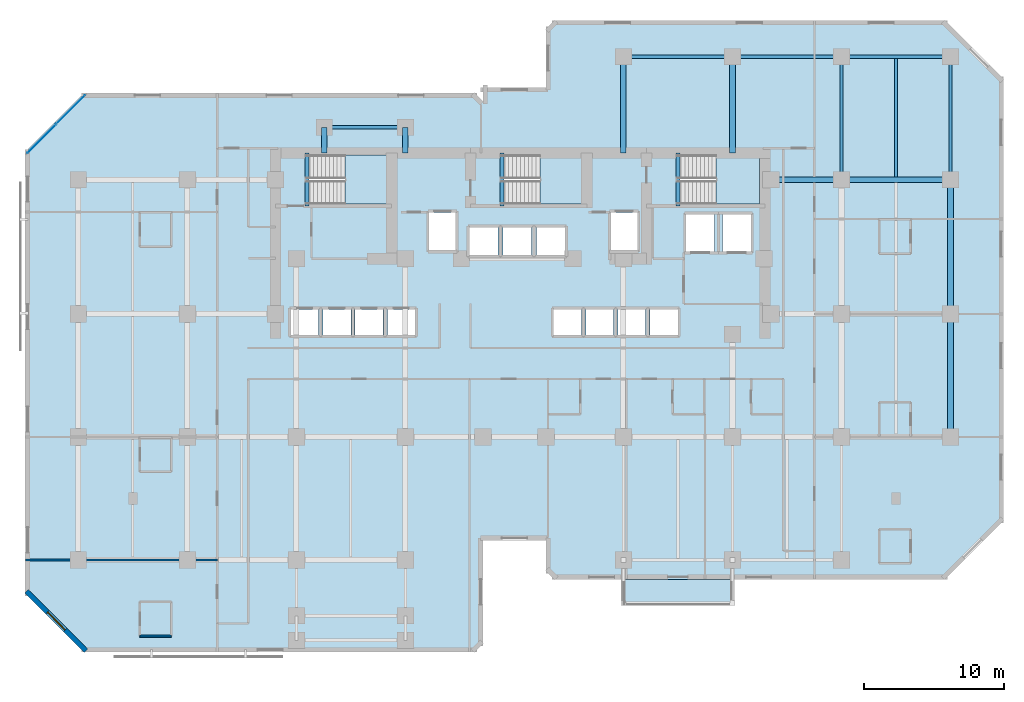
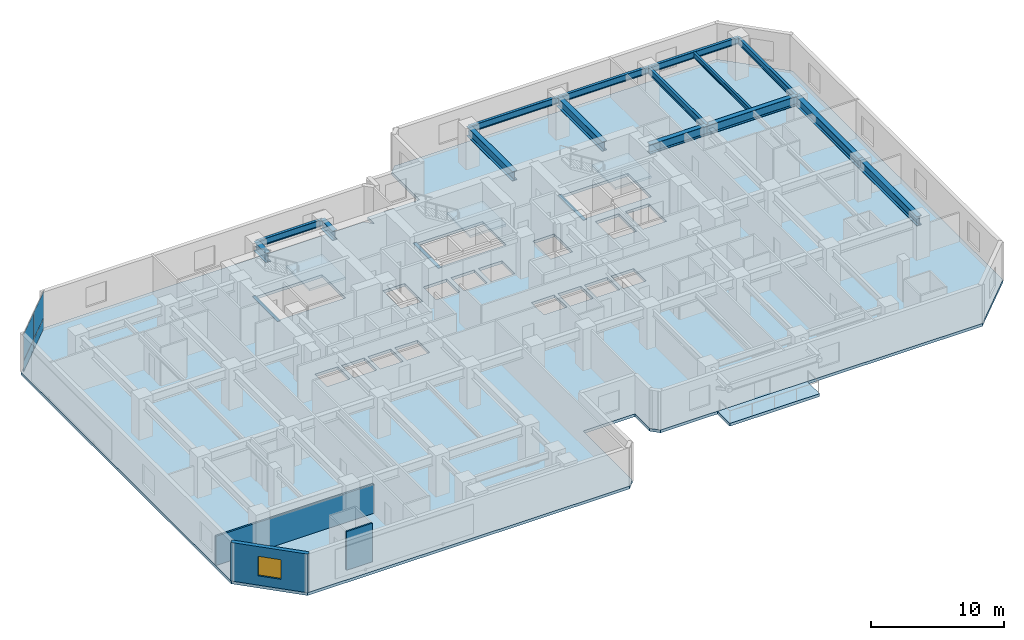
# One storey, part 5 of 12: 18 beams, 5 slabs, 4 plates, 3 walls, 1 window, 1 opening, 4 elements without a shape of their own.
"""IFC4 building model written with IfcOpenShell, lengths in metres."""

from ifc_helpers import new_model, si_unit, direction, frame, frame_2d, origin, origin_2d, place, context, subcontext, project, spatial, polyline, rectangle, i_section, outline, extrude, material, layer, layer_set, material_profile, profile_set, type_object, element, fill, aggregate, save


model = new_model("IFC4")

# Units and contexts
model_context = context("Model", 3, precision=1e-05, world=origin(), true_north=direction((0.0, 1.0)))
body_context = subcontext(model_context, "Body", "Model", "MODEL_VIEW")
ifc_project = project(units=[si_unit("LENGTHUNIT", "METRE"), si_unit("AREAUNIT", "SQUARE_METRE"), si_unit("VOLUMEUNIT", "CUBIC_METRE"), si_unit("PLANEANGLEUNIT", "RADIAN"), si_unit("MASSUNIT", "GRAM", prefix="KILO")], contexts=[model_context])

# Site, building, storey
site_placement = place(None, origin())
site = spatial("IfcSite", under=ifc_project, at=site_placement, CompositionType="ELEMENT")
building_placement = place(site_placement, origin())
building = spatial("IfcBuilding", under=site, at=building_placement, Name="Kestravale Grand Hotel", CompositionType="ELEMENT")
storey_placement = place(building_placement, frame((0.0, 0.0, 110.800048828125)))
storey = spatial("IfcBuildingStorey", under=building, at=storey_placement, Name="L27", CompositionType="ELEMENT", Elevation=110.800048828125)

# Beams
ifc_material_1 = material(Name="Steel ASTM A992 Grade 50", Category="steel")
ifc_material_profile_1 = material_profile(ifc_material_1, i_section(OverallWidth=0.19091796875, OverallDepth=0.45703125, WebThickness=0.009033203125, FlangeThickness=0.014404296875, FilletRadius=0.015380859375, at=origin_2d()))
ifc_profile_set_1 = profile_set([ifc_material_profile_1], Name="Steel ASTM A992 Grade 50")
beam_type_1 = type_object("IfcBeamType", Name="B-FLR-JST18", PredefinedType="JOIST", material=ifc_profile_set_1)
beam_1_placement = place(storey_placement, frame((66.300048828125, 38.6005859375, 3.3115234375), z_axis=(0.0, 1.0, 0.0), x_axis=(-1.0, 0.0, 0.0)))
element("IfcBeam", 1, at=beam_1_placement, inside=storey, type_object=beam_type_1, Name="L27 floor joist 10-11/F-G #1", PredefinedType="JOIST", context=body_context, shape_type="SweptSolid", body=[
    extrude(i_section(OverallWidth=0.19091796875, OverallDepth=0.45703125, WebThickness=0.009033203125, FlangeThickness=0.014404296875, FilletRadius=0.015380859375, at=origin_2d()), origin(), (0.0, 0.0, 1.0), 8.48486328125),
])
ifc_material_2 = material(Name="Concrete f'c 45 MPa", Category="concrete")
ifc_material_profile_2 = material_profile(ifc_material_2, rectangle(XDim=0.300048828125, YDim=0.39990234375, at=origin_2d()))
ifc_profile_set_2 = profile_set([ifc_material_profile_2], Name="Concrete f'c 45 MPa")
beam_type_2 = type_object("IfcBeamType", Name="B-FLR-LNT400", PredefinedType="LINTEL", material=ifc_profile_set_2)
for number, where, z_axis, x_axis, name in (
    (2, (24.159912109375, 36.52001953125, -0.199951171875), (0.0, 1.0, 0.0), (-1.0, 0.0, 0.0), "L27 ST1 flight bottom header beam"),
    (3, (38.110107421875, 36.52001953125, -0.199951171875), (0.0, 1.0, 0.0), (-1.0, 0.0, 0.0), "L27 ST2 flight bottom header beam"),
    (4, (50.7099609375, 36.52001953125, -0.199951171875), (0.0, 1.0, 0.0), (-1.0, 0.0, 0.0), "L27 ST3 flight bottom header beam"),
):
    element("IfcBeam", number, at=place(storey_placement, frame(where, z_axis=z_axis, x_axis=x_axis)), inside=storey, type_object=beam_type_2, Name=name, PredefinedType="LINTEL", context=body_context, shape_type="SweptSolid", body=[
        extrude(rectangle(XDim=0.300048828125, YDim=0.39990234375, at=origin_2d()), origin(), (0.0, 0.0, 1.0), 3.800048828125),
    ])
ifc_material_3 = material(Name="Steel ASTM A992 Grade 50", Category="steel")
ifc_material_profile_3 = material_profile(ifc_material_3, i_section(OverallWidth=0.22900390625, OverallDepth=0.612060546875, WebThickness=0.011962890625, FlangeThickness=0.01953125, FilletRadius=0.019287109375, at=origin_2d()))
ifc_profile_set_3 = profile_set([ifc_material_profile_3], Name="Steel ASTM A992 Grade 50")
beam_type_3 = type_object("IfcBeamType", Name="B-FLR-W24B", PredefinedType="SPANDREL", material=ifc_profile_set_3)
beam_2_placement = place(storey_placement, frame((46.800048828125, 47.199951171875, 3.23388671875), z_axis=(1.0, 0.0, 0.0), x_axis=(0.0, 1.0, 0.0)))
element("IfcBeam", 5, at=beam_2_placement, inside=storey, type_object=beam_type_3, Name="L27 spandrel G:8-9", PredefinedType="SPANDREL", context=body_context, shape_type="SweptSolid", body=[
    extrude(i_section(OverallWidth=0.22900390625, OverallDepth=0.612060546875, WebThickness=0.011962890625, FlangeThickness=0.01953125, FilletRadius=0.019287109375, at=origin_2d()), origin(), (0.0, 0.0, 1.0), 7.800048828125),
])
beam_3_placement = place(storey_placement, frame((54.60009765625, 47.199951171875, 3.23388671875), z_axis=(1.0, 0.0, 0.0), x_axis=(0.0, 1.0, 0.0)))
element("IfcBeam", 6, at=beam_3_placement, inside=storey, type_object=beam_type_3, Name="L27 spandrel G:9-10", PredefinedType="SPANDREL", context=body_context, shape_type="SweptSolid", body=[
    extrude(i_section(OverallWidth=0.22900390625, OverallDepth=0.612060546875, WebThickness=0.011962890625, FlangeThickness=0.01953125, FilletRadius=0.019287109375, at=origin_2d()), origin(), (0.0, 0.0, 1.0), 7.7998046875),
])
beam_4_placement = place(storey_placement, frame((62.39990234375, 47.199951171875, 3.23388671875), z_axis=(1.0, 0.0, 0.0), x_axis=(0.0, 1.0, 0.0)))
element("IfcBeam", 7, at=beam_4_placement, inside=storey, type_object=beam_type_3, Name="L27 spandrel G:10-11", PredefinedType="SPANDREL", context=body_context, shape_type="SweptSolid", body=[
    extrude(i_section(OverallWidth=0.22900390625, OverallDepth=0.612060546875, WebThickness=0.011962890625, FlangeThickness=0.01953125, FilletRadius=0.019287109375, at=origin_2d()), origin(), (0.0, 0.0, 1.0), 7.800048828125),
])
beam_5_placement = place(storey_placement, frame((25.39990234375, 42.14990234375, 3.23388671875), z_axis=(1.0, 0.0, 0.0), x_axis=(0.0, 1.0, 0.0)))
element("IfcBeam", 8, at=beam_5_placement, inside=storey, type_object=beam_type_3, Name="L27 perimeter tie spandrel FN:4-5", PredefinedType="SPANDREL", context=body_context, shape_type="SweptSolid", body=[
    extrude(i_section(OverallWidth=0.22900390625, OverallDepth=0.612060546875, WebThickness=0.011962890625, FlangeThickness=0.01953125, FilletRadius=0.019287109375, at=origin_2d()), origin(), (0.0, 0.0, 1.0), 5.800048828125),
])
for number, where, z_axis, x_axis, name in (
    (9, (62.39990234375, 38.39990234375, 3.23388671875), (0.0, 1.0, 0.0), (-1.0, 0.0, 0.0), "L27 spandrel 10:F-G"),
    (10, (70.199951171875, 38.39990234375, 3.23388671875), (0.0, 1.0, 0.0), (-1.0, 0.0, 0.0), "L27 spandrel 11:F-G"),
):
    element("IfcBeam", number, at=place(storey_placement, frame(where, z_axis=z_axis, x_axis=x_axis)), inside=storey, type_object=beam_type_3, Name=name, PredefinedType="SPANDREL", context=body_context, shape_type="SweptSolid", body=[
        extrude(i_section(OverallWidth=0.22900390625, OverallDepth=0.612060546875, WebThickness=0.011962890625, FlangeThickness=0.01953125, FilletRadius=0.019287109375, at=origin_2d()), origin(), (0.0, 0.0, 1.0), 8.800048828125),
    ])
ifc_material_4 = material(Name="Steel ASTM A992 Grade 50", Category="steel")
ifc_material_profile_4 = material_profile(ifc_material_4, i_section(OverallWidth=0.40087890625, OverallDepth=0.861083984375, WebThickness=0.019775390625, FlangeThickness=0.032470703125, FilletRadius=0.0234375, at=origin_2d()))
ifc_profile_set_4 = profile_set([ifc_material_profile_4], Name="Steel ASTM A992 Grade 50")
beam_type_4 = type_object("IfcBeamType", Name="B-GRD-W33", PredefinedType="BEAM", material=ifc_profile_set_4)
beam_6_placement = place(storey_placement, frame((57.35009765625, 38.39990234375, 3.109375), z_axis=(1.0, 0.0, 0.0), x_axis=(0.0, 1.0, 0.0)))
element("IfcBeam", 11, at=beam_6_placement, inside=storey, type_object=beam_type_4, Name="L27 girder F:CE-10", PredefinedType="BEAM", context=body_context, shape_type="SweptSolid", body=[
    extrude(i_section(OverallWidth=0.40087890625, OverallDepth=0.861083984375, WebThickness=0.019775390625, FlangeThickness=0.032470703125, FilletRadius=0.0234375, at=origin_2d()), origin(), (0.0, 0.0, 1.0), 5.0498046875),
])
beam_7_placement = place(storey_placement, frame((62.39990234375, 38.39990234375, 3.109375), z_axis=(1.0, 0.0, 0.0), x_axis=(0.0, 1.0, 0.0)))
element("IfcBeam", 12, at=beam_7_placement, inside=storey, type_object=beam_type_4, Name="L27 girder F:10-11", PredefinedType="BEAM", context=body_context, shape_type="SweptSolid", body=[
    extrude(i_section(OverallWidth=0.40087890625, OverallDepth=0.861083984375, WebThickness=0.019775390625, FlangeThickness=0.032470703125, FilletRadius=0.0234375, at=origin_2d()), origin(), (0.0, 0.0, 1.0), 7.800048828125),
])
beam_8_placement = place(storey_placement, frame((70.199951171875, 20.0, 3.109375), z_axis=(0.0, 1.0, 0.0), x_axis=(-1.0, 0.0, 0.0)))
element("IfcBeam", 13, at=beam_8_placement, inside=storey, type_object=beam_type_4, Name="L27 girder 11:D-E", PredefinedType="BEAM", context=body_context, shape_type="SweptSolid", body=[
    extrude(i_section(OverallWidth=0.40087890625, OverallDepth=0.861083984375, WebThickness=0.019775390625, FlangeThickness=0.032470703125, FilletRadius=0.0234375, at=origin_2d()), origin(), (0.0, 0.0, 1.0), 8.800048828125),
])
beam_9_placement = place(storey_placement, frame((70.199951171875, 28.800048828125, 3.109375), z_axis=(0.0, 1.0, 0.0), x_axis=(-1.0, 0.0, 0.0)))
element("IfcBeam", 14, at=beam_9_placement, inside=storey, type_object=beam_type_4, Name="L27 girder 11:E-F", PredefinedType="BEAM", context=body_context, shape_type="SweptSolid", body=[
    extrude(i_section(OverallWidth=0.40087890625, OverallDepth=0.861083984375, WebThickness=0.019775390625, FlangeThickness=0.032470703125, FilletRadius=0.0234375, at=origin_2d()), origin(), (0.0, 0.0, 1.0), 9.599853515625),
])
for number, where, z_axis, x_axis, name in (
    (15, (25.39990234375, 40.320068359375, 3.109375), (0.0, 1.0, 0.0), (-1.0, 0.0, 0.0), "L27 north wing tie girder 4:CN-FN"),
    (16, (31.199951171875, 40.320068359375, 3.109375), (0.0, 1.0, 0.0), (-1.0, 0.0, 0.0), "L27 north wing tie girder 5:CN-FN"),
):
    element("IfcBeam", number, at=place(storey_placement, frame(where, z_axis=z_axis, x_axis=x_axis)), inside=storey, type_object=beam_type_4, Name=name, PredefinedType="BEAM", context=body_context, shape_type="SweptSolid", body=[
        extrude(i_section(OverallWidth=0.40087890625, OverallDepth=0.861083984375, WebThickness=0.019775390625, FlangeThickness=0.032470703125, FilletRadius=0.0234375, at=origin_2d()), origin(), (0.0, 0.0, 1.0), 1.829833984375),
    ])
for number, where, z_axis, x_axis, name in (
    (17, (46.800048828125, 40.320068359375, 3.109375), (0.0, 1.0, 0.0), (-1.0, 0.0, 0.0), "L27 north wing tie girder 8:CN-G"),
    (18, (54.60009765625, 40.320068359375, 3.109375), (0.0, 1.0, 0.0), (-1.0, 0.0, 0.0), "L27 north wing tie girder 9:CN-G"),
):
    element("IfcBeam", number, at=place(storey_placement, frame(where, z_axis=z_axis, x_axis=x_axis)), inside=storey, type_object=beam_type_4, Name=name, PredefinedType="BEAM", context=body_context, shape_type="SweptSolid", body=[
        extrude(i_section(OverallWidth=0.40087890625, OverallDepth=0.861083984375, WebThickness=0.019775390625, FlangeThickness=0.032470703125, FilletRadius=0.0234375, at=origin_2d()), origin(), (0.0, 0.0, 1.0), 6.8798828125),
    ])

# Curtain wall, plates
ifc_material_5 = material(Name="Thermally broken champagne-bronze aluminium and low-E glazing", Category="aluminium")
ifc_layer_1 = layer(ifc_material_5, 0.199951171875)
ifc_layer_set_1 = layer_set([ifc_layer_1], Name="CW-Z2")
curtain_wall_type = type_object("IfcCurtainWallType", Name="CW-Z2", PredefinedType="NOTDEFINED", material=ifc_layer_set_1)
curtain_wall_placement = place(storey_placement, origin())
curtain_wall = element("IfcCurtainWall", 19, at=curtain_wall_placement, inside=storey, type_object=curtain_wall_type, Name="L27 unitised curtain wall 18", PredefinedType="NOTDEFINED")
ifc_material_6 = material(Name="Insulated clear low-E double glazing IGU", Category="glass")
ifc_layer_2 = layer(ifc_material_6, 0.031982421875)
ifc_layer_set_2 = layer_set([ifc_layer_2], Name="CW-PNL-32")
plate_type = type_object("IfcPlateType", Name="CW-PNL-32", PredefinedType="CURTAIN_PANEL", material=ifc_layer_set_2)
plate_1_placement = place(storey_placement, frame((7.26416015625, 43.423583984375, 0.06494140625), z_axis=(0.0, 0.0, 1.0), x_axis=(-0.707106781187, -0.707106781187, 0.0)))
plate_1 = element("IfcPlate", 20, at=plate_1_placement, type_object=plate_type, Name="CW-Z2 panel 1.1", PredefinedType="CURTAIN_PANEL", context=body_context, shape_type="SweptSolid", body=[
    extrude(rectangle(XDim=2.87744140625, YDim=0.031982421875, at=origin_2d()), origin(), (0.0, 0.0, 1.0), 0.952392578125),
])
plate_2_placement = place(storey_placement, frame((7.26416015625, 43.423583984375, 1.08251953125), z_axis=(0.0, 0.0, 1.0), x_axis=(-0.707106781187, -0.707106781187, 0.0)))
plate_2 = element("IfcPlate", 21, at=plate_2_placement, type_object=plate_type, Name="CW-Z2 panel 1.2", PredefinedType="CURTAIN_PANEL", context=body_context, shape_type="SweptSolid", body=[
    extrude(rectangle(XDim=2.87744140625, YDim=0.031982421875, at=origin_2d()), origin(), (0.0, 0.0, 1.0), 2.392578125),
])
plate_3_placement = place(storey_placement, frame((5.17626953125, 41.3359375, 0.06494140625), z_axis=(0.0, 0.0, 1.0), x_axis=(-0.707106781187, -0.707106781187, 0.0)))
plate_3 = element("IfcPlate", 22, at=plate_3_placement, type_object=plate_type, Name="CW-Z2 panel 2.1", PredefinedType="CURTAIN_PANEL", context=body_context, shape_type="SweptSolid", body=[
    extrude(rectangle(XDim=2.87744140625, YDim=0.031982421875, at=origin_2d()), origin(), (0.0, 0.0, 1.0), 0.952392578125),
])
plate_4_placement = place(storey_placement, frame((5.17626953125, 41.3359375, 1.08251953125), z_axis=(0.0, 0.0, 1.0), x_axis=(-0.707106781187, -0.707106781187, 0.0)))
plate_4 = element("IfcPlate", 23, at=plate_4_placement, type_object=plate_type, Name="CW-Z2 panel 2.2", PredefinedType="CURTAIN_PANEL", context=body_context, shape_type="SweptSolid", body=[
    extrude(rectangle(XDim=2.87744140625, YDim=0.031982421875, at=origin_2d()), origin(), (0.0, 0.0, 1.0), 2.392578125),
])
aggregate(curtain_wall, [plate_1, plate_2, plate_3, plate_4])

# Slab
ifc_material_7 = material(Name="Concrete f'c 45 MPa", Category="concrete")
ifc_layer_3 = layer(ifc_material_7, 0.27001953125)
ifc_layer_set_3 = layer_set([ifc_layer_3], Name="ES-TERR-270")
slab_type_1 = type_object("IfcSlabType", Name="ES-TERR-270", PredefinedType="FLOOR", material=ifc_layer_set_3)
slab_1_placement = place(storey_placement, frame((0.0, 0.0, -0.27001953125)))
element("IfcSlab", 24, at=slab_1_placement, inside=storey, type_object=slab_type_1, Name="L27 spiralling planted garden terrace", PredefinedType="FLOOR", context=body_context, shape_type="SweptSolid", body=[
    extrude(outline(polyline([(46.800048828125, 7.949951171875), (54.60009765625, 7.949951171875), (54.60009765625, 9.800048828125), (46.800048828125, 9.800048828125), (46.800048828125, 7.949951171875)])), origin(), (0.0, 0.0, 1.0), 0.27001953125),
])

# Stair, slab
ifc_material_8 = material(Name="Concrete f'c 45 MPa", Category="concrete")
stair_type = type_object("IfcStairType", Name="ST-CORE-380", PredefinedType="HALF_TURN_STAIR", material=ifc_material_8)
stair_1_placement = place(storey_placement, origin())
stair_1 = element("IfcStair", 25, at=stair_1_placement, inside=storey, type_object=stair_type, Name="L27 ST-1", PredefinedType="HALF_TURN_STAIR")
ifc_material_9 = material(Name="Concrete f'c 45 MPa", Category="concrete")
ifc_layer_4 = layer(ifc_material_9, 0.199951171875)
ifc_layer_set_4 = layer_set([ifc_layer_4], Name="SLB-ST-LND200")
slab_type_2 = type_object("IfcSlabType", Name="SLB-ST-LND200", PredefinedType="LANDING", material=ifc_layer_set_4)
slab_2_placement = place(storey_placement, frame((0.0, 0.0, 1.699951171875)))
slab_2 = element("IfcSlab", 26, at=slab_2_placement, type_object=slab_type_2, Name="ST-1 landing 1", PredefinedType="LANDING", context=body_context, shape_type="SweptSolid", body=[
    extrude(outline(polyline([(26.8798828125, 36.64990234375), (30.0, 36.64990234375), (30.0, 40.159912109375), (26.8798828125, 40.159912109375), (26.8798828125, 36.64990234375)])), origin(), (0.0, 0.0, 1.0), 0.199951171875),
])
aggregate(stair_1, [slab_2])

stair_2_placement = place(storey_placement, origin())
stair_2 = element("IfcStair", 27, at=stair_2_placement, inside=storey, type_object=stair_type, Name="L27 ST-2", PredefinedType="HALF_TURN_STAIR")
slab_3_placement = place(storey_placement, frame((0.0, 0.0, 1.699951171875)))
slab_3 = element("IfcSlab", 28, at=slab_3_placement, type_object=slab_type_2, Name="ST-2 landing 1", PredefinedType="LANDING", context=body_context, shape_type="SweptSolid", body=[
    extrude(outline(polyline([(40.830078125, 36.64990234375), (43.949951171875, 36.64990234375), (43.949951171875, 40.159912109375), (40.830078125, 40.159912109375), (40.830078125, 36.64990234375)])), origin(), (0.0, 0.0, 1.0), 0.199951171875),
])
aggregate(stair_2, [slab_3])

stair_3_placement = place(storey_placement, origin())
stair_3 = element("IfcStair", 29, at=stair_3_placement, inside=storey, type_object=stair_type, Name="L27 ST-3", PredefinedType="HALF_TURN_STAIR")
slab_4_placement = place(storey_placement, frame((0.0, 0.0, 1.699951171875)))
slab_4 = element("IfcSlab", 30, at=slab_4_placement, type_object=slab_type_2, Name="ST-3 landing 1", PredefinedType="LANDING", context=body_context, shape_type="SweptSolid", body=[
    extrude(outline(polyline([(53.429931640625, 36.64990234375), (56.550048828125, 36.64990234375), (56.550048828125, 40.159912109375), (53.429931640625, 40.159912109375), (53.429931640625, 36.64990234375)])), origin(), (0.0, 0.0, 1.0), 0.199951171875),
])
aggregate(stair_3, [slab_4])

# Slab
ifc_material_10 = material(Name="Concrete f'c 45 MPa", Category="concrete")
ifc_layer_5 = layer(ifc_material_10, 0.260009765625)
ifc_layer_set_5 = layer_set([ifc_layer_5], Name="SS-FLR-260")
slab_type_3 = type_object("IfcSlabType", Name="SS-FLR-260", PredefinedType="FLOOR", material=ifc_layer_set_5)
slab_5_placement = place(storey_placement, frame((0.0, 0.0, -0.260009765625)))
element("IfcSlab", 31, at=slab_5_placement, inside=storey, type_object=slab_type_3, Name="L27 structural floor slab", PredefinedType="FLOOR", context=body_context, shape_type="SweptSolid", body=[
    extrude(outline(polyline([(8.199951171875, 4.60009765625), (36.14990234375, 4.60009765625), (36.75, 5.199951171875), (36.75, 12.60009765625), (41.25, 12.60009765625), (41.25, 10.39990234375), (41.85009765625, 9.800048828125), (69.800048828125, 9.800048828125), (74.0, 14.0), (74.0, 45.60009765625), (69.800048828125, 49.800048828125), (41.85009765625, 49.800048828125), (41.25, 49.199951171875), (41.25, 45.0), (36.75, 45.0), (36.75, 44.0), (36.14990234375, 44.60009765625), (8.199951171875, 44.60009765625), (4.0, 40.39990234375), (4.0, 8.800048828125), (8.199951171875, 4.60009765625)]), holes=[polyline([(24.080078125, 36.64990234375), (30.0, 36.64990234375), (30.0, 40.159912109375), (24.080078125, 40.159912109375), (24.080078125, 36.64990234375)]), polyline([(38.030029296875, 36.64990234375), (43.949951171875, 36.64990234375), (43.949951171875, 40.159912109375), (38.030029296875, 40.159912109375), (38.030029296875, 36.64990234375)]), polyline([(50.6298828125, 36.64990234375), (56.550048828125, 36.64990234375), (56.550048828125, 40.159912109375), (50.6298828125, 40.159912109375), (50.6298828125, 36.64990234375)]), polyline([(23.0048828125, 27.280029296875), (24.9951171875, 27.280029296875), (24.9951171875, 29.1201171875), (23.0048828125, 29.1201171875), (23.0048828125, 27.280029296875)]), polyline([(25.304931640625, 27.280029296875), (27.294921875, 27.280029296875), (27.294921875, 29.1201171875), (25.304931640625, 29.1201171875), (25.304931640625, 27.280029296875)]), polyline([(27.60498046875, 27.280029296875), (29.594970703125, 27.280029296875), (29.594970703125, 29.1201171875), (27.60498046875, 29.1201171875), (27.60498046875, 27.280029296875)]), polyline([(29.905029296875, 27.280029296875), (31.89501953125, 27.280029296875), (31.89501953125, 29.1201171875), (29.905029296875, 29.1201171875), (29.905029296875, 27.280029296875)]), polyline([(41.804931640625, 27.280029296875), (43.794921875, 27.280029296875), (43.794921875, 29.1201171875), (41.804931640625, 29.1201171875), (41.804931640625, 27.280029296875)]), polyline([(44.10498046875, 27.280029296875), (46.094970703125, 27.280029296875), (46.094970703125, 29.1201171875), (44.10498046875, 29.1201171875), (44.10498046875, 27.280029296875)]), polyline([(46.405029296875, 27.280029296875), (48.39501953125, 27.280029296875), (48.39501953125, 29.1201171875), (46.405029296875, 29.1201171875), (46.405029296875, 27.280029296875)]), polyline([(48.705078125, 27.280029296875), (50.695068359375, 27.280029296875), (50.695068359375, 29.1201171875), (48.705078125, 29.1201171875), (48.705078125, 27.280029296875)]), polyline([(35.780029296875, 33.030029296875), (37.820068359375, 33.030029296875), (37.820068359375, 34.969970703125), (35.780029296875, 34.969970703125), (35.780029296875, 33.030029296875)]), polyline([(38.179931640625, 33.030029296875), (40.219970703125, 33.030029296875), (40.219970703125, 34.969970703125), (38.179931640625, 34.969970703125), (38.179931640625, 33.030029296875)]), polyline([(40.580078125, 33.030029296875), (42.6201171875, 33.030029296875), (42.6201171875, 34.969970703125), (40.580078125, 34.969970703125), (40.580078125, 33.030029296875)]), polyline([(32.905029296875, 33.35498046875), (34.794921875, 33.35498046875), (34.794921875, 36.044921875), (32.905029296875, 36.044921875), (32.905029296875, 33.35498046875)]), polyline([(45.905029296875, 33.35498046875), (47.794921875, 33.35498046875), (47.794921875, 36.044921875), (45.905029296875, 36.044921875), (45.905029296875, 33.35498046875)]), polyline([(51.280029296875, 33.280029296875), (53.320068359375, 33.280029296875), (53.320068359375, 35.919921875), (51.280029296875, 35.919921875), (51.280029296875, 33.280029296875)]), polyline([(53.8798828125, 33.280029296875), (55.919921875, 33.280029296875), (55.919921875, 35.919921875), (53.8798828125, 35.919921875), (53.8798828125, 33.280029296875)])]), origin(), (0.0, 0.0, 1.0), 0.260009765625),
])

# Wall, opening, window
ifc_material_11 = material(Name="Precast concrete f'c 45 MPa", Category="concrete")
ifc_layer_6 = layer(ifc_material_11, 0.340087890625)
ifc_layer_set_6 = layer_set([ifc_layer_6], Name="EW-PREC-340")
wall_type_1 = type_object("IfcWallType", Name="EW-PREC-340", PredefinedType="SOLIDWALL", material=ifc_layer_set_6)
wall_1_placement = place(storey_placement, frame((4.091796875, 8.948486328125, 0.0), z_axis=(0.0, 0.0, 1.0), x_axis=(0.707106781187, -0.707106781187, 0.0)))
wall_1 = element("IfcWall", 32, at=wall_1_placement, inside=storey, type_object=wall_type_1, Name="L27 fluted precast facade wall 20", PredefinedType="SOLIDWALL", context=body_context, shape_type="SweptSolid", body=[
    extrude(rectangle(XDim=6.019775390625, YDim=0.340087890625, at=frame_2d((3.009765625, 0.0))), origin(), (0.0, 0.0, 1.0), 3.5400390625),
])
opening_placement = place(wall_1_placement, frame((2.10986328125, 0.0, 0.85009765625)))
opening = element("IfcOpeningElement", 33, at=opening_placement, cuts=wall_1, Name="Opening W-GUEST-1800", PredefinedType="OPENING", context=body_context, shape_type="SweptSolid", body=[
    extrude(rectangle(XDim=1.800048828125, YDim=1.800048828125, at=frame_2d((0.89990234375, 0.89990234375))), frame((0.0, 0.179931640625, 0.0), z_axis=(0.0, -1.0, 0.0), x_axis=(1.0, 0.0, 0.0)), (0.0, 0.0, 1.0), 0.360107421875),
])
ifc_material_12 = material(Name="Insulated low-E double glazing in aluminium frame", Category="aluminium")
window_type = type_object("IfcWindowType", Name="W-GUEST-1800", PartitioningType="DOUBLE_PANEL_VERTICAL", PredefinedType="WINDOW", material=ifc_material_12)
window_placement = place(opening_placement, origin())
window = element("IfcWindow", 34, at=window_placement, inside=storey, type_object=window_type, Name="L27 exterior window 20.1", OverallHeight=1.800048828125, OverallWidth=1.800048828125, PartitioningType="SINGLE_PANEL", PredefinedType="WINDOW", context=body_context, shape_type="SweptSolid", body=[
    extrude(rectangle(XDim=1.800048828125, YDim=1.800048828125, at=frame_2d((0.89990234375, 0.89990234375))), frame((0.0, 0.030029296875, 0.0), z_axis=(0.0, -1.0, 0.0), x_axis=(1.0, 0.0, 0.0)), (0.0, 0.0, 1.0), 0.06005859375),
])
fill(opening, window)

# Walls
ifc_material_13 = material(Name="Moisture-resistant tile-backer plumbing chase wall", Category="other")
ifc_layer_7 = layer(ifc_material_13, 0.139892578125)
ifc_layer_set_7 = layer_set([ifc_layer_7], Name="IW-PLB-140")
wall_type_2 = type_object("IfcWallType", Name="IW-PLB-140", PredefinedType="PLUMBINGWALL", material=ifc_layer_set_7)
wall_2_placement = place(storey_placement, frame((12.199951171875, 5.75, 0.0), z_axis=(0.0, 0.0, 1.0), x_axis=(1.0, 0.0, 0.0)))
element("IfcWall", 35, at=wall_2_placement, inside=storey, type_object=wall_type_2, Name="W-L27-U04-BS", PredefinedType="PLUMBINGWALL", context=body_context, shape_type="SweptSolid", body=[
    extrude(rectangle(XDim=2.25, YDim=0.139892578125, at=frame_2d((1.125, 0.0))), origin(), (0.0, 0.0, 1.0), 3.5400390625),
])
ifc_material_14 = material(Name="Double-stud STC 52 acoustic demising partition", Category="other")
ifc_layer_8 = layer(ifc_material_14, 0.14990234375)
ifc_layer_set_8 = layer_set([ifc_layer_8], Name="IW-UNIT-150")
wall_type_3 = type_object("IfcWallType", Name="IW-UNIT-150", PredefinedType="PARTITIONING", material=ifc_layer_set_8)
wall_3_placement = place(storey_placement, frame((4.02001953125, 11.199951171875, 0.0), z_axis=(0.0, 0.0, 1.0), x_axis=(1.0, 0.0, 0.0)))
element("IfcWall", 36, at=wall_3_placement, inside=storey, type_object=wall_type_3, Name="W-L27-WW-1", PredefinedType="PARTITIONING", context=body_context, shape_type="SweptSolid", body=[
    extrude(rectangle(XDim=13.719970703125, YDim=0.14990234375, at=frame_2d((6.85986328125, 0.0))), origin(), (0.0, 0.0, 1.0), 2.678955078125),
])

save(model, "model.ifc")
